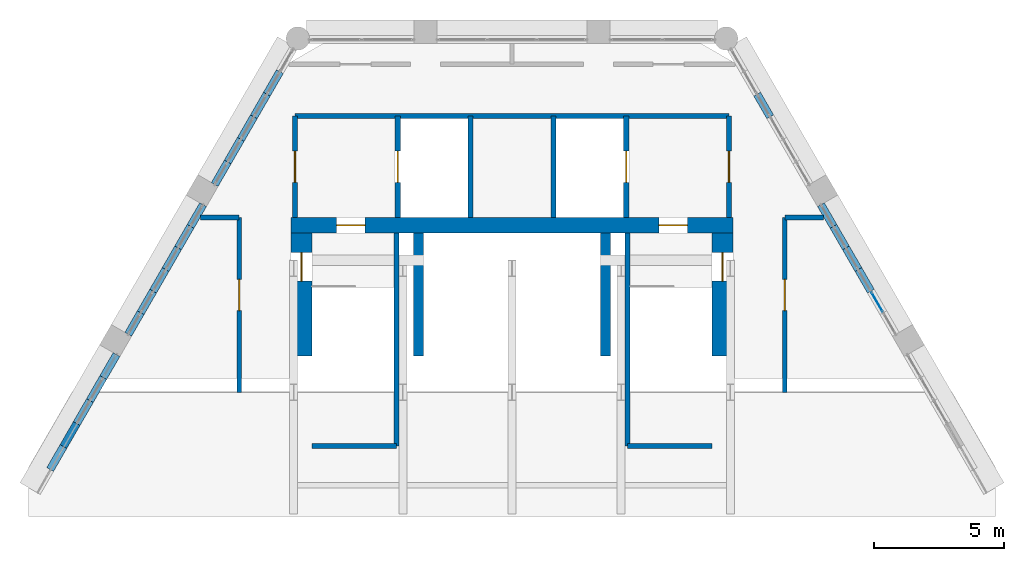
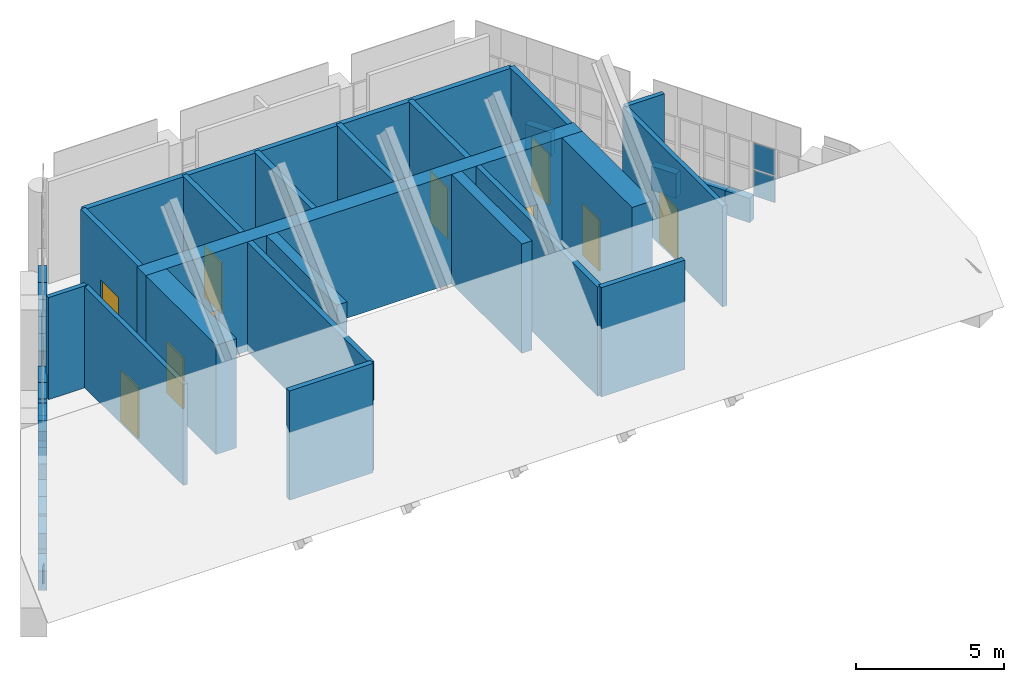
# One storey, part 14 of 16: 43 walls, 10 doors, 2 plates, 10 openings, 1 element without a shape of its own.
"""IFC4 building model written with IfcOpenShell, lengths in metres."""

from ifc_helpers import new_model, si_unit, direction, frame, frame_2d, origin, origin_2d, place, context, subcontext, project, spatial, rectangle, extrude, material, layer, layer_set, type_object, element, fill, aggregate, save


model = new_model("IFC4")

# Units and contexts
model_context = context("Model", 3, precision=1e-05, world=origin(), true_north=direction((0.0, 1.0)))
body_context = subcontext(model_context, "Body", "Model", "MODEL_VIEW")
ifc_project = project(units=[si_unit("LENGTHUNIT", "METRE"), si_unit("AREAUNIT", "SQUARE_METRE"), si_unit("VOLUMEUNIT", "CUBIC_METRE"), si_unit("PLANEANGLEUNIT", "RADIAN"), si_unit("MASSUNIT", "GRAM", prefix="KILO")], contexts=[model_context])

# Site, building, storey
site_placement = place(None, origin())
site = spatial("IfcSite", under=ifc_project, at=site_placement, CompositionType="ELEMENT")
building_placement = place(site_placement, origin())
building = spatial("IfcBuilding", under=site, at=building_placement, Name="Ostrander Bayou Hotel Tower", CompositionType="ELEMENT")
storey_placement = place(building_placement, frame((0.0, 0.0, 288.5)))
storey = spatial("IfcBuildingStorey", under=building, at=storey_placement, Name="L71", CompositionType="ELEMENT", Elevation=288.5)

# Curtain wall, plates
ifc_material_1 = material(Name="Aluminium and clear glass", Category="aluminium")
curtain_wall_type = type_object("IfcCurtainWallType", Name="CW-CROWN glazed wall", PredefinedType="NOTDEFINED", material=ifc_material_1)
curtain_wall_placement = place(storey_placement, origin())
curtain_wall = element("IfcCurtainWall", 1, at=curtain_wall_placement, inside=storey, type_object=curtain_wall_type, Name="CW-CROWN L71:NE-2-2", PredefinedType="NOTDEFINED")
ifc_material_2 = material(Name="Clear laminated glass", Category="glass")
ifc_layer_1 = layer(ifc_material_2, 0.028076171875)
ifc_layer_set_1 = layer_set([ifc_layer_1], Name="CW-CR glazing panel 28 mm")
plate_type = type_object("IfcPlateType", Name="CW-CR glazing panel 28 mm", PredefinedType="CURTAIN_PANEL", material=ifc_layer_set_1)
plate_1_placement = place(storey_placement, frame((14.051025390625, 6.449951171875, 1.06005859375), z_axis=(0.0, 0.0, 1.0), x_axis=(-0.500005045044, 0.866022491007, 0.0)))
plate_1 = element("IfcPlate", 2, at=plate_1_placement, type_object=plate_type, Name="CW-CROWN panel 1.1", PredefinedType="CURTAIN_PANEL", context=body_context, shape_type="SweptSolid", body=[
    extrude(rectangle(XDim=0.83984375, YDim=0.028076171875, at=origin_2d()), origin(), (0.0, 0.0, 1.0), 1.06005859375),
])
plate_2_placement = place(storey_placement, frame((14.051025390625, 6.449951171875, 2.179931640625), z_axis=(0.0, 0.0, 1.0), x_axis=(-0.500005045044, 0.866022491007, 0.0)))
plate_2 = element("IfcPlate", 3, at=plate_2_placement, type_object=plate_type, Name="CW-CROWN panel 1.2", PredefinedType="CURTAIN_PANEL", context=body_context, shape_type="SweptSolid", body=[
    extrude(rectangle(XDim=0.83984375, YDim=0.028076171875, at=origin_2d()), origin(), (0.0, 0.0, 1.0), 1.06005859375),
])
aggregate(curtain_wall, [plate_1, plate_2])

# Wall, openings, doors
ifc_material_3 = material(Name="Concrete f'c 60 MPa", Category="concrete")
ifc_layer_2 = layer(ifc_material_3, 0.60009765625)
ifc_layer_set_2 = layer_set([ifc_layer_2], Name="CW10 core wall 600 mm f'c 60 MPa")
wall_type_1 = type_object("IfcWallType", Name="CW10 core wall 600 mm f'c 60 MPa", PredefinedType="SHEAR", material=ifc_layer_set_2)
wall_1_placement = place(storey_placement, frame((-8.5, 9.39990234375, -0.300048828125), z_axis=(0.0, 0.0, 1.0), x_axis=(1.0, 0.0, 0.0)))
wall_1 = element("IfcWall", 4, at=wall_1_placement, inside=storey, type_object=wall_type_1, Name="CW10 L71 N", PredefinedType="SHEAR", context=body_context, shape_type="SweptSolid", body=[
    extrude(rectangle(XDim=17.0, YDim=0.60009765625, at=frame_2d((8.5, 0.0))), origin(), (0.0, 0.0, 1.0), 4.5),
])
opening_1_placement = place(wall_1_placement, frame((1.75, 0.0, 0.0)))
opening_1 = element("IfcOpeningElement", 5, at=opening_1_placement, cuts=wall_1, Name="Opening T71-001", PredefinedType="OPENING", context=body_context, shape_type="SweptSolid", body=[
    extrude(rectangle(XDim=1.10009765625, YDim=2.10009765625, at=frame_2d((0.550048828125, 1.050048828125))), frame((0.0, 0.300048828125, 0.0), z_axis=(0.0, -1.0, 0.0), x_axis=(1.0, 0.0, 0.0)), (0.0, 0.0, 1.0), 0.60009765625),
])
opening_2_placement = place(wall_1_placement, frame((14.14990234375, 0.0, 0.0)))
opening_2 = element("IfcOpeningElement", 6, at=opening_2_placement, cuts=wall_1, Name="Opening T71-003", PredefinedType="OPENING", context=body_context, shape_type="SweptSolid", body=[
    extrude(rectangle(XDim=1.10009765625, YDim=2.10009765625, at=frame_2d((0.550048828125, 1.050048828125))), frame((0.0, 0.300048828125, 0.0), z_axis=(0.0, -1.0, 0.0), x_axis=(1.0, 0.0, 0.0)), (0.0, 0.0, 1.0), 0.60009765625),
])
ifc_material_4 = material(Name="Timber door leaf", Category="wood")
door_type_1 = type_object("IfcDoorType", Name="D5 stair door 1100 x 2100 mm, 90 minute", OperationType="SINGLE_SWING_LEFT", PredefinedType="DOOR", material=ifc_material_4)
door_1_placement = place(opening_1_placement, origin())
door_1 = element("IfcDoor", 7, at=door_1_placement, inside=storey, type_object=door_type_1, Name="dr:L71:001", OperationType="SINGLE_SWING_LEFT", OverallHeight=2.10009765625, OverallWidth=1.10009765625, PredefinedType="DOOR", context=body_context, shape_type="SweptSolid", body=[
    extrude(rectangle(XDim=1.10009765625, YDim=2.10009765625, at=frame_2d((0.550048828125, 1.050048828125))), frame((0.0, 0.02490234375, 0.0), z_axis=(0.0, -1.0, 0.0), x_axis=(1.0, 0.0, 0.0)), (0.0, 0.0, 1.0), 0.050048828125),
])
fill(opening_1, door_1)
door_2_placement = place(opening_2_placement, origin())
door_2 = element("IfcDoor", 8, at=door_2_placement, inside=storey, type_object=door_type_1, Name="dr:L71:003", OperationType="SINGLE_SWING_RIGHT", OverallHeight=2.10009765625, OverallWidth=1.10009765625, PredefinedType="DOOR", context=body_context, shape_type="SweptSolid", body=[
    extrude(rectangle(XDim=1.10009765625, YDim=2.10009765625, at=frame_2d((0.550048828125, 1.050048828125))), frame((0.0, 0.02490234375, 0.0), z_axis=(0.0, -1.0, 0.0), x_axis=(1.0, 0.0, 0.0)), (0.0, 0.0, 1.0), 0.050048828125),
])
fill(opening_2, door_2)

# Wall, opening, door
ifc_material_5 = material(Name="Concrete f'c 60 MPa", Category="concrete")
ifc_layer_3 = layer(ifc_material_5, 0.800048828125)
ifc_layer_set_3 = layer_set([ifc_layer_3], Name="CW11 core spine wall 800 mm f'c 60 MPa")
wall_type_2 = type_object("IfcWallType", Name="CW11 core spine wall 800 mm f'c 60 MPa", PredefinedType="SHEAR", material=ifc_layer_set_3)
wall_2_placement = place(storey_placement, frame((-8.10009765625, 4.364990234375, -0.300048828125), z_axis=(0.0, 0.0, 1.0), x_axis=(0.0, 1.0, 0.0)))
wall_2 = element("IfcWall", 9, at=wall_2_placement, inside=storey, type_object=wall_type_2, Name="CW11 L71 W", PredefinedType="SHEAR", context=body_context, shape_type="SweptSolid", body=[
    extrude(rectangle(XDim=4.735107421875, YDim=0.800048828125, at=frame_2d((2.36767578125, 0.0))), origin(), (0.0, 0.0, 1.0), 4.5),
])
opening_3_placement = place(wall_2_placement, frame((2.885009765625, 0.0, 0.0)))
opening_3 = element("IfcOpeningElement", 10, at=opening_3_placement, cuts=wall_2, Name="Opening T71-002", PredefinedType="OPENING", context=body_context, shape_type="SweptSolid", body=[
    extrude(rectangle(XDim=1.10009765625, YDim=2.10009765625, at=frame_2d((0.550048828125, 1.050048828125))), frame((0.0, 0.39990234375, 0.0), z_axis=(0.0, -1.0, 0.0), x_axis=(1.0, 0.0, 0.0)), (0.0, 0.0, 1.0), 0.800048828125),
])
door_3_placement = place(opening_3_placement, origin())
door_3 = element("IfcDoor", 11, at=door_3_placement, inside=storey, type_object=door_type_1, Name="dr:L71:002", OperationType="SINGLE_SWING_RIGHT", OverallHeight=2.10009765625, OverallWidth=1.10009765625, PredefinedType="DOOR", context=body_context, shape_type="SweptSolid", body=[
    extrude(rectangle(XDim=1.10009765625, YDim=2.10009765625, at=frame_2d((0.550048828125, 1.050048828125))), frame((0.0, 0.02490234375, 0.0), z_axis=(0.0, -1.0, 0.0), x_axis=(1.0, 0.0, 0.0)), (0.0, 0.0, 1.0), 0.050048828125),
])
fill(opening_3, door_3)

wall_3_placement = place(storey_placement, frame((8.10009765625, 4.364990234375, -0.300048828125), z_axis=(0.0, 0.0, 1.0), x_axis=(0.0, 1.0, 0.0)))
wall_3 = element("IfcWall", 12, at=wall_3_placement, inside=storey, type_object=wall_type_2, Name="CW11 L71 E", PredefinedType="SHEAR", context=body_context, shape_type="SweptSolid", body=[
    extrude(rectangle(XDim=4.735107421875, YDim=0.800048828125, at=frame_2d((2.36767578125, 0.0))), origin(), (0.0, 0.0, 1.0), 4.5),
])
opening_4_placement = place(wall_3_placement, frame((2.885009765625, 0.0, 0.0)))
opening_4 = element("IfcOpeningElement", 13, at=opening_4_placement, cuts=wall_3, Name="Opening T71-004", PredefinedType="OPENING", context=body_context, shape_type="SweptSolid", body=[
    extrude(rectangle(XDim=1.10009765625, YDim=2.10009765625, at=frame_2d((0.550048828125, 1.050048828125))), frame((0.0, 0.39990234375, 0.0), z_axis=(0.0, -1.0, 0.0), x_axis=(1.0, 0.0, 0.0)), (0.0, 0.0, 1.0), 0.800048828125),
])
door_4_placement = place(opening_4_placement, origin())
door_4 = element("IfcDoor", 14, at=door_4_placement, inside=storey, type_object=door_type_1, Name="dr:L71:004", OperationType="SINGLE_SWING_LEFT", OverallHeight=2.10009765625, OverallWidth=1.10009765625, PredefinedType="DOOR", context=body_context, shape_type="SweptSolid", body=[
    extrude(rectangle(XDim=1.10009765625, YDim=2.10009765625, at=frame_2d((0.550048828125, 1.050048828125))), frame((0.0, 0.02490234375, 0.0), z_axis=(0.0, -1.0, 0.0), x_axis=(1.0, 0.0, 0.0)), (0.0, 0.0, 1.0), 0.050048828125),
])
fill(opening_4, door_4)

# Walls
ifc_material_6 = material(Name="Concrete f'c 60 MPa", Category="concrete")
ifc_layer_4 = layer(ifc_material_6, 0.39990234375)
ifc_layer_set_4 = layer_set([ifc_layer_4], Name="CW12 core bank wall 400 mm f'c 60 MPa")
wall_type_3 = type_object("IfcWallType", Name="CW12 core bank wall 400 mm f'c 60 MPa", PredefinedType="SHEAR", material=ifc_layer_set_4)
for number, where, z_axis, x_axis, name in (
    (15, (-3.60009765625, 4.364990234375, -0.300048828125), (0.0, 0.0, 1.0), (0.0, 1.0, 0.0), "CW12 L71 CW"),
    (16, (3.60009765625, 4.364990234375, -0.300048828125), (0.0, 0.0, 1.0), (0.0, 1.0, 0.0), "CW12 L71 CE"),
):
    element("IfcWall", number, at=place(storey_placement, frame(where, z_axis=z_axis, x_axis=x_axis)), inside=storey, type_object=wall_type_3, Name=name, PredefinedType="SHEAR", context=body_context, shape_type="SweptSolid", body=[
        extrude(rectangle(XDim=4.735107421875, YDim=0.39990234375, at=frame_2d((2.36767578125, 0.0))), origin(), (0.0, 0.0, 1.0), 4.5),
    ])
ifc_material_7 = material(Name="Reconstituted stone on masonry backing", Category="masonry")
ifc_layer_5 = layer(ifc_material_7, 0.300048828125)
ifc_layer_set_5 = layer_set([ifc_layer_5], Name="NW1 north stone wall 300 mm")
wall_type_4 = type_object("IfcWallType", Name="NW1 north stone wall 300 mm", PredefinedType="SOLIDWALL", material=ifc_layer_set_5)
wall_4_placement = place(storey_placement, frame((-8.93359375, 15.313720703125, 0.0), z_axis=(0.0, 0.0, 1.0), x_axis=(-0.500038395149, -0.8660032352, 0.0)))
element("IfcWall", 17, at=wall_4_placement, inside=storey, type_object=wall_type_4, Name="NW1 L71 NW-1-2 sill", PredefinedType="SOLIDWALL", context=body_context, shape_type="SweptSolid", body=[
    extrude(rectangle(XDim=1.00341796875, YDim=0.300048828125, at=frame_2d((0.501708984375, 0.0))), origin(), (0.0, 0.0, 1.0), 1.0),
])
wall_5_placement = place(storey_placement, frame((-9.435302734375, 14.44482421875, 0.0), z_axis=(0.0, 0.0, 1.0), x_axis=(-0.499961250474, -0.866047774678, 0.0)))
element("IfcWall", 18, at=wall_5_placement, inside=storey, type_object=wall_type_4, Name="NW1 L71 NW-1-3 sill", PredefinedType="SOLIDWALL", context=body_context, shape_type="SweptSolid", body=[
    extrude(rectangle(XDim=1.0029296875, YDim=0.300048828125, at=frame_2d((0.50146484375, 0.0))), origin(), (0.0, 0.0, 1.0), 1.0),
])
for number, where, z_axis, x_axis, name in (
    (19, (-9.936767578125, 13.576171875, 0.0), (0.0, 0.0, 1.0), (-0.499855875421, -0.866108598161, 0.0), "NW1 L71 NW-1-4 sill"),
    (20, (-10.438232421875, 12.707275390625, 0.0), (0.0, 0.0, 1.0), (-0.500143783026, -0.865942374699, 0.0), "NW1 L71 NW-1-5 sill"),
    (21, (-10.93994140625, 11.838623046875, 0.0), (0.0, 0.0, 1.0), (-0.499855875421, -0.866108598161, 0.0), "NW1 L71 NW-1-6 sill"),
):
    element("IfcWall", number, at=place(storey_placement, frame(where, z_axis=z_axis, x_axis=x_axis)), inside=storey, type_object=wall_type_4, Name=name, PredefinedType="SOLIDWALL", context=body_context, shape_type="SweptSolid", body=[
        extrude(rectangle(XDim=1.003173828125, YDim=0.300048828125, at=frame_2d((0.50146484375, 0.0))), origin(), (0.0, 0.0, 1.0), 1.0),
    ])
for number, where, z_axis, x_axis, name in (
    (22, (-11.8916015625, 10.1904296875, 0.0), (0.0, 0.0, 1.0), (-0.499832553123, -0.866122057702, 0.0), "NW1 L71 NW-2-1 sill"),
    (23, (-12.371337890625, 9.359130859375, 0.0), (0.0, 0.0, 1.0), (-0.500133489192, -0.865948320045, 0.0), "NW1 L71 NW-2-2 sill"),
):
    element("IfcWall", number, at=place(storey_placement, frame(where, z_axis=z_axis, x_axis=x_axis)), inside=storey, type_object=wall_type_4, Name=name, PredefinedType="SOLIDWALL", context=body_context, shape_type="SweptSolid", body=[
        extrude(rectangle(XDim=0.959716796875, YDim=0.300048828125, at=frame_2d((0.47998046875, 0.0))), origin(), (0.0, 0.0, 1.0), 1.0),
    ])
wall_6_placement = place(storey_placement, frame((-12.851318359375, 8.528076171875, 0.0), z_axis=(0.0, 0.0, 1.0), x_axis=(-0.500023335103, -0.866011930837, 0.0)))
element("IfcWall", 24, at=wall_6_placement, inside=storey, type_object=wall_type_4, Name="NW1 L71 NW-2-3 sill", PredefinedType="SOLIDWALL", context=body_context, shape_type="SweptSolid", body=[
    extrude(rectangle(XDim=0.9599609375, YDim=0.300048828125, at=frame_2d((0.47998046875, 0.0))), origin(), (0.0, 0.0, 1.0), 1.0),
])
wall_7_placement = place(storey_placement, frame((-13.331298828125, 7.69677734375, 0.0), z_axis=(0.0, 0.0, 1.0), x_axis=(-0.499832553123, -0.866122057702, 0.0)))
element("IfcWall", 25, at=wall_7_placement, inside=storey, type_object=wall_type_4, Name="NW1 L71 NW-2-4 sill", PredefinedType="SOLIDWALL", context=body_context, shape_type="SweptSolid", body=[
    extrude(rectangle(XDim=0.959716796875, YDim=0.300048828125, at=frame_2d((0.47998046875, 0.0))), origin(), (0.0, 0.0, 1.0), 1.0),
])
wall_8_placement = place(storey_placement, frame((-13.81103515625, 6.865478515625, 0.0), z_axis=(0.0, 0.0, 1.0), x_axis=(-0.500023335103, -0.866011930837, 0.0)))
element("IfcWall", 26, at=wall_8_placement, inside=storey, type_object=wall_type_4, Name="NW1 L71 NW-2-5 sill", PredefinedType="SOLIDWALL", context=body_context, shape_type="SweptSolid", body=[
    extrude(rectangle(XDim=0.9599609375, YDim=0.300048828125, at=frame_2d((0.47998046875, 0.0))), origin(), (0.0, 0.0, 1.0), 1.0),
])
wall_9_placement = place(storey_placement, frame((-14.291015625, 6.0341796875, 0.0), z_axis=(0.0, 0.0, 1.0), x_axis=(-0.500133489192, -0.865948320045, 0.0)))
element("IfcWall", 27, at=wall_9_placement, inside=storey, type_object=wall_type_4, Name="NW1 L71 NW-2-6 sill", PredefinedType="SOLIDWALL", context=body_context, shape_type="SweptSolid", body=[
    extrude(rectangle(XDim=0.959716796875, YDim=0.300048828125, at=frame_2d((0.47998046875, 0.0))), origin(), (0.0, 0.0, 1.0), 1.0),
])
wall_10_placement = place(storey_placement, frame((-15.220947265625, 4.423583984375, 0.0), z_axis=(0.0, 0.0, 1.0), x_axis=(-0.500046605208, -0.865998494583, 0.0)))
element("IfcWall", 28, at=wall_10_placement, inside=storey, type_object=wall_type_4, Name="NW1 L71 NW-3-1 sill", PredefinedType="SOLIDWALL", context=body_context, shape_type="SweptSolid", body=[
    extrude(rectangle(XDim=1.021484375, YDim=0.300048828125, at=frame_2d((0.5107421875, 0.0))), origin(), (0.0, 0.0, 1.0), 1.0),
])
wall_11_placement = place(storey_placement, frame((-15.220947265625, 4.423583984375, 3.300048828125), z_axis=(0.0, 0.0, 1.0), x_axis=(-0.500046605208, -0.865998494583, 0.0)))
element("IfcWall", 29, at=wall_11_placement, inside=storey, type_object=wall_type_4, Name="NW1 L71 NW-3-1 ring", PredefinedType="SOLIDWALL", context=body_context, shape_type="SweptSolid", body=[
    extrude(rectangle(XDim=1.021484375, YDim=0.300048828125, at=frame_2d((0.5107421875, 0.0))), origin(), (0.0, 0.0, 1.0), 0.838623046875),
])
for number, where, z_axis, x_axis, name in (
    (30, (-15.731689453125, 3.5390625, 0.0), (0.0, 0.0, 1.0), (-0.499943114462, -0.866058244174, 0.0), "NW1 L71 NW-3-2 sill"),
    (31, (-16.242431640625, 2.654296875, 0.0), (0.0, 0.0, 1.0), (-0.499943114462, -0.866058244174, 0.0), "NW1 L71 NW-3-3 sill"),
    (32, (-16.753173828125, 1.76953125, 0.0), (0.0, 0.0, 1.0), (-0.500046605208, -0.865998494583, 0.0), "NW1 L71 NW-3-4 sill"),
):
    element("IfcWall", number, at=place(storey_placement, frame(where, z_axis=z_axis, x_axis=x_axis)), inside=storey, type_object=wall_type_4, Name=name, PredefinedType="SOLIDWALL", context=body_context, shape_type="SweptSolid", body=[
        extrude(rectangle(XDim=1.021484375, YDim=0.300048828125, at=frame_2d((0.5107421875, 0.0))), origin(), (0.0, 0.0, 1.0), 1.0),
    ])
wall_12_placement = place(storey_placement, frame((-16.753173828125, 1.76953125, 1.0), z_axis=(0.0, 0.0, 1.0), x_axis=(-0.500046605208, -0.865998494583, 0.0)))
element("IfcWall", 33, at=wall_12_placement, inside=storey, type_object=wall_type_4, Name="NW1 L71 NW-3-4 infill", PredefinedType="SOLIDWALL", context=body_context, shape_type="SweptSolid", body=[
    extrude(rectangle(XDim=1.021484375, YDim=0.300048828125, at=frame_2d((0.5107421875, 0.0))), origin(), (0.0, 0.0, 1.0), 0.638916015625),
])
wall_13_placement = place(storey_placement, frame((-17.263916015625, 0.885009765625, 0.0), z_axis=(0.0, 0.0, 1.0), x_axis=(-0.500122329842, -0.865954765097, 0.0)))
element("IfcWall", 34, at=wall_13_placement, inside=storey, type_object=wall_type_4, Name="NW1 L71 NW-3-5 sill", PredefinedType="SOLIDWALL", context=body_context, shape_type="SweptSolid", body=[
    extrude(rectangle(XDim=1.021728515625, YDim=0.300048828125, at=frame_2d((0.5107421875, 0.0))), origin(), (0.0, 0.0, 1.0), 0.8056640625),
])
wall_14_placement = place(storey_placement, frame((13.81103515625, 6.865478515625, 0.0), z_axis=(0.0, 0.0, 1.0), x_axis=(-0.499832553123, 0.866122057702, 0.0)))
element("IfcWall", 35, at=wall_14_placement, inside=storey, type_object=wall_type_4, Name="NW1 L71 NE-2-3 sill", PredefinedType="SOLIDWALL", context=body_context, shape_type="SweptSolid", body=[
    extrude(rectangle(XDim=0.959716796875, YDim=0.300048828125, at=frame_2d((0.47998046875, 0.0))), origin(), (0.0, 0.0, 1.0), 1.0),
])
wall_15_placement = place(storey_placement, frame((13.331298828125, 7.69677734375, 0.0), z_axis=(0.0, 0.0, 1.0), x_axis=(-0.500023335103, 0.866011930837, 0.0)))
element("IfcWall", 36, at=wall_15_placement, inside=storey, type_object=wall_type_4, Name="NW1 L71 NE-2-4 sill", PredefinedType="SOLIDWALL", context=body_context, shape_type="SweptSolid", body=[
    extrude(rectangle(XDim=0.9599609375, YDim=0.300048828125, at=frame_2d((0.47998046875, 0.0))), origin(), (0.0, 0.0, 1.0), 1.0),
])
for number, where, z_axis, x_axis, name in (
    (37, (12.851318359375, 8.528076171875, 0.0), (0.0, 0.0, 1.0), (-0.500133489192, 0.865948320045, 0.0), "NW1 L71 NE-2-5 sill"),
    (38, (12.371337890625, 9.359130859375, 0.0), (0.0, 0.0, 1.0), (-0.499832553123, 0.866122057702, 0.0), "NW1 L71 NE-2-6 sill"),
):
    element("IfcWall", number, at=place(storey_placement, frame(where, z_axis=z_axis, x_axis=x_axis)), inside=storey, type_object=wall_type_4, Name=name, PredefinedType="SOLIDWALL", context=body_context, shape_type="SweptSolid", body=[
        extrude(rectangle(XDim=0.959716796875, YDim=0.300048828125, at=frame_2d((0.47998046875, 0.0))), origin(), (0.0, 0.0, 1.0), 1.0),
    ])
wall_16_placement = place(storey_placement, frame((9.936767578125, 13.576171875, 0.0), z_axis=(0.0, 0.0, 1.0), x_axis=(-0.499961250474, 0.866047774678, 0.0)))
element("IfcWall", 39, at=wall_16_placement, inside=storey, type_object=wall_type_4, Name="NW1 L71 NE-3-4 sill", PredefinedType="SOLIDWALL", context=body_context, shape_type="SweptSolid", body=[
    extrude(rectangle(XDim=1.0029296875, YDim=0.300048828125, at=frame_2d((0.50146484375, 0.0))), origin(), (0.0, 0.0, 1.0), 1.0),
])
ifc_material_8 = material(Name="Gypsum board partition", Category="finish")
ifc_layer_6 = layer(ifc_material_8, 0.175048828125)
ifc_layer_set_6 = layer_set([ifc_layer_6], Name="PT4 corridor wall 175 mm, 1 hour")
wall_type_5 = type_object("IfcWallType", Name="PT4 corridor wall 175 mm, 1 hour", PredefinedType="PARTITIONING", material=ifc_layer_set_6)
for number, where, z_axis, x_axis, name in (
    (40, (-11.996337890625, 9.699951171875, 0.0), (0.0, 0.0, 1.0), (1.0, 0.0, 0.0), "sw:L71:001"),
    (41, (10.5, 9.699951171875, 0.0), (0.0, 0.0, 1.0), (1.0, 0.0, 0.0), "sw:L71:002"),
):
    element("IfcWall", number, at=place(storey_placement, frame(where, z_axis=z_axis, x_axis=x_axis)), inside=storey, type_object=wall_type_5, Name=name, PredefinedType="PARTITIONING", context=body_context, shape_type="SweptSolid", body=[
        extrude(rectangle(XDim=1.496337890625, YDim=0.175048828125, at=frame_2d((0.748046875, 0.0))), origin(), (0.0, 0.0, 1.0), 4.199951171875),
    ])

# Wall, opening, door
wall_17_placement = place(storey_placement, frame((-10.5, 2.97216796875, 0.0), z_axis=(0.0, 0.0, 1.0), x_axis=(0.0, 1.0, 0.0)))
wall_17 = element("IfcWall", 42, at=wall_17_placement, inside=storey, type_object=wall_type_5, Name="sw:L71:006", PredefinedType="PARTITIONING", context=body_context, shape_type="SweptSolid", body=[
    extrude(rectangle(XDim=6.727783203125, YDim=0.175048828125, at=frame_2d((3.36376953125, 0.0))), origin(), (0.0, 0.0, 1.0), 4.15478515625),
])
opening_5_placement = place(wall_17_placement, frame((3.141845703125, 0.0, 0.0)))
opening_5 = element("IfcOpeningElement", 43, at=opening_5_placement, cuts=wall_17, Name="Opening T71-200", PredefinedType="OPENING", context=body_context, shape_type="SweptSolid", body=[
    extrude(rectangle(XDim=1.199951171875, YDim=2.10009765625, at=frame_2d((0.60009765625, 1.050048828125))), frame((0.0, 0.08740234375, 0.0), z_axis=(0.0, -1.0, 0.0), x_axis=(1.0, 0.0, 0.0)), (0.0, 0.0, 1.0), 0.175048828125),
])
ifc_material_9 = material(Name="Timber door leaf", Category="wood")
door_type_2 = type_object("IfcDoorType", Name="D10 plant room door 1200 x 2100 mm, 1 hour", OperationType="SINGLE_SWING_LEFT", PredefinedType="DOOR", material=ifc_material_9)
door_5_placement = place(opening_5_placement, origin())
door_5 = element("IfcDoor", 44, at=door_5_placement, inside=storey, type_object=door_type_2, Name="dr:L71:200", OperationType="SINGLE_SWING_RIGHT", OverallHeight=2.10009765625, OverallWidth=1.199951171875, PredefinedType="DOOR", context=body_context, shape_type="SweptSolid", body=[
    extrude(rectangle(XDim=1.199951171875, YDim=2.10009765625, at=frame_2d((0.60009765625, 1.050048828125))), frame((0.0, 0.02490234375, 0.0), z_axis=(0.0, -1.0, 0.0), x_axis=(1.0, 0.0, 0.0)), (0.0, 0.0, 1.0), 0.050048828125),
])
fill(opening_5, door_5)

wall_18_placement = place(storey_placement, frame((10.5, 2.97216796875, 0.0), z_axis=(0.0, 0.0, 1.0), x_axis=(0.0, 1.0, 0.0)))
wall_18 = element("IfcWall", 45, at=wall_18_placement, inside=storey, type_object=wall_type_5, Name="sw:L71:007", PredefinedType="PARTITIONING", context=body_context, shape_type="SweptSolid", body=[
    extrude(rectangle(XDim=6.727783203125, YDim=0.175048828125, at=frame_2d((3.36376953125, 0.0))), origin(), (0.0, 0.0, 1.0), 4.15478515625),
])
opening_6_placement = place(wall_18_placement, frame((3.141845703125, 0.0, 0.0)))
opening_6 = element("IfcOpeningElement", 46, at=opening_6_placement, cuts=wall_18, Name="Opening T71-201", PredefinedType="OPENING", context=body_context, shape_type="SweptSolid", body=[
    extrude(rectangle(XDim=1.199951171875, YDim=2.10009765625, at=frame_2d((0.60009765625, 1.050048828125))), frame((0.0, 0.08740234375, 0.0), z_axis=(0.0, -1.0, 0.0), x_axis=(1.0, 0.0, 0.0)), (0.0, 0.0, 1.0), 0.175048828125),
])
door_6_placement = place(opening_6_placement, origin())
door_6 = element("IfcDoor", 47, at=door_6_placement, inside=storey, type_object=door_type_2, Name="dr:L71:201", OperationType="SINGLE_SWING_LEFT", OverallHeight=2.10009765625, OverallWidth=1.199951171875, PredefinedType="DOOR", context=body_context, shape_type="SweptSolid", body=[
    extrude(rectangle(XDim=1.199951171875, YDim=2.10009765625, at=frame_2d((0.60009765625, 1.050048828125))), frame((0.0, 0.02490234375, 0.0), z_axis=(0.0, -1.0, 0.0), x_axis=(1.0, 0.0, 0.0)), (0.0, 0.0, 1.0), 0.050048828125),
])
fill(opening_6, door_6)

# Wall
ifc_material_10 = material(Name="Masonry block", Category="masonry")
ifc_layer_7 = layer(ifc_material_10, 0.199951171875)
ifc_layer_set_7 = layer_set([ifc_layer_7], Name="PT5 stair enclosure wall 200 mm masonry, 2 hour")
wall_type_6 = type_object("IfcWallType", Name="PT5 stair enclosure wall 200 mm masonry, 2 hour", PredefinedType="PARTITIONING", material=ifc_layer_set_7)
wall_19_placement = place(storey_placement, frame((-8.35009765625, 13.60009765625, 0.0), z_axis=(0.0, 0.0, 1.0), x_axis=(1.0, 0.0, 0.0)))
element("IfcWall", 48, at=wall_19_placement, inside=storey, type_object=wall_type_6, Name="cs:L71:005", PredefinedType="PARTITIONING", context=body_context, shape_type="SweptSolid", body=[
    extrude(rectangle(XDim=16.7001953125, YDim=0.199951171875, at=frame_2d((8.35009765625, 0.0))), origin(), (0.0, 0.0, 1.0), 4.199951171875),
])

# Wall, opening, door
wall_20_placement = place(storey_placement, frame((-8.35009765625, 9.699951171875, 0.0), z_axis=(0.0, 0.0, 1.0), x_axis=(0.0, 1.0, 0.0)))
wall_20 = element("IfcWall", 49, at=wall_20_placement, inside=storey, type_object=wall_type_6, Name="cs:L71:006", PredefinedType="PARTITIONING", context=body_context, shape_type="SweptSolid", body=[
    extrude(rectangle(XDim=3.900146484375, YDim=0.199951171875, at=frame_2d((1.9501953125, 0.0))), origin(), (0.0, 0.0, 1.0), 4.199951171875),
])
opening_7_placement = place(wall_20_placement, frame((1.35009765625, 0.0, 0.0)))
opening_7 = element("IfcOpeningElement", 50, at=opening_7_placement, cuts=wall_20, Name="Opening T71-006", PredefinedType="OPENING", context=body_context, shape_type="SweptSolid", body=[
    extrude(rectangle(XDim=1.199951171875, YDim=2.10009765625, at=frame_2d((0.60009765625, 1.050048828125))), frame((0.0, 0.10009765625, 0.0), z_axis=(0.0, -1.0, 0.0), x_axis=(1.0, 0.0, 0.0)), (0.0, 0.0, 1.0), 0.199951171875),
])
ifc_material_11 = material(Name="Timber door leaf", Category="wood")
door_type_3 = type_object("IfcDoorType", Name="D7 lobby door 1200 x 2100 mm, 1 hour", OperationType="SINGLE_SWING_LEFT", PredefinedType="DOOR", material=ifc_material_11)
door_7_placement = place(opening_7_placement, origin())
door_7 = element("IfcDoor", 51, at=door_7_placement, inside=storey, type_object=door_type_3, Name="dr:L71:006", OperationType="SINGLE_SWING_LEFT", OverallHeight=2.10009765625, OverallWidth=1.199951171875, PredefinedType="DOOR", context=body_context, shape_type="SweptSolid", body=[
    extrude(rectangle(XDim=1.199951171875, YDim=2.10009765625, at=frame_2d((0.60009765625, 1.050048828125))), frame((0.0, 0.02490234375, 0.0), z_axis=(0.0, -1.0, 0.0), x_axis=(1.0, 0.0, 0.0)), (0.0, 0.0, 1.0), 0.050048828125),
])
fill(opening_7, door_7)

wall_21_placement = place(storey_placement, frame((8.35009765625, 9.699951171875, 0.0), z_axis=(0.0, 0.0, 1.0), x_axis=(0.0, 1.0, 0.0)))
wall_21 = element("IfcWall", 52, at=wall_21_placement, inside=storey, type_object=wall_type_6, Name="cs:L71:007", PredefinedType="PARTITIONING", context=body_context, shape_type="SweptSolid", body=[
    extrude(rectangle(XDim=3.900146484375, YDim=0.199951171875, at=frame_2d((1.9501953125, 0.0))), origin(), (0.0, 0.0, 1.0), 4.199951171875),
])
opening_8_placement = place(wall_21_placement, frame((1.35009765625, 0.0, 0.0)))
opening_8 = element("IfcOpeningElement", 53, at=opening_8_placement, cuts=wall_21, Name="Opening T71-008", PredefinedType="OPENING", context=body_context, shape_type="SweptSolid", body=[
    extrude(rectangle(XDim=1.199951171875, YDim=2.10009765625, at=frame_2d((0.60009765625, 1.050048828125))), frame((0.0, 0.10009765625, 0.0), z_axis=(0.0, -1.0, 0.0), x_axis=(1.0, 0.0, 0.0)), (0.0, 0.0, 1.0), 0.199951171875),
])
door_8_placement = place(opening_8_placement, origin())
door_8 = element("IfcDoor", 54, at=door_8_placement, inside=storey, type_object=door_type_3, Name="dr:L71:008", OperationType="SINGLE_SWING_LEFT", OverallHeight=2.10009765625, OverallWidth=1.199951171875, PredefinedType="DOOR", context=body_context, shape_type="SweptSolid", body=[
    extrude(rectangle(XDim=1.199951171875, YDim=2.10009765625, at=frame_2d((0.60009765625, 1.050048828125))), frame((0.0, 0.02490234375, 0.0), z_axis=(0.0, -1.0, 0.0), x_axis=(1.0, 0.0, 0.0)), (0.0, 0.0, 1.0), 0.050048828125),
])
fill(opening_8, door_8)

wall_22_placement = place(storey_placement, frame((-4.39990234375, 9.699951171875, 0.0), z_axis=(0.0, 0.0, 1.0), x_axis=(0.0, 1.0, 0.0)))
wall_22 = element("IfcWall", 55, at=wall_22_placement, inside=storey, type_object=wall_type_6, Name="cs:L71:008", PredefinedType="PARTITIONING", context=body_context, shape_type="SweptSolid", body=[
    extrude(rectangle(XDim=3.900146484375, YDim=0.199951171875, at=frame_2d((1.9501953125, 0.0))), origin(), (0.0, 0.0, 1.0), 4.199951171875),
])
opening_9_placement = place(wall_22_placement, frame((1.35009765625, 0.0, 0.0)))
opening_9 = element("IfcOpeningElement", 56, at=opening_9_placement, cuts=wall_22, Name="Opening T71-005", PredefinedType="OPENING", context=body_context, shape_type="SweptSolid", body=[
    extrude(rectangle(XDim=1.199951171875, YDim=2.10009765625, at=frame_2d((0.60009765625, 1.050048828125))), frame((0.0, 0.10009765625, 0.0), z_axis=(0.0, -1.0, 0.0), x_axis=(1.0, 0.0, 0.0)), (0.0, 0.0, 1.0), 0.199951171875),
])
ifc_material_12 = material(Name="Stainless steel sliding door", Category="steel")
door_type_4 = type_object("IfcDoorType", Name="LD1 lift landing door 1200 x 2100 mm", OperationType="SINGLE_SWING_LEFT", PredefinedType="DOOR", material=ifc_material_12)
door_9_placement = place(opening_9_placement, origin())
door_9 = element("IfcDoor", 57, at=door_9_placement, inside=storey, type_object=door_type_4, Name="dr:L71:005", OperationType="SLIDING_TO_LEFT", OverallHeight=2.10009765625, OverallWidth=1.199951171875, PredefinedType="DOOR", context=body_context, shape_type="SweptSolid", body=[
    extrude(rectangle(XDim=1.199951171875, YDim=2.10009765625, at=frame_2d((0.60009765625, 1.050048828125))), frame((0.0, 0.02490234375, 0.0), z_axis=(0.0, -1.0, 0.0), x_axis=(1.0, 0.0, 0.0)), (0.0, 0.0, 1.0), 0.050048828125),
])
fill(opening_9, door_9)

wall_23_placement = place(storey_placement, frame((4.39990234375, 9.699951171875, 0.0), z_axis=(0.0, 0.0, 1.0), x_axis=(0.0, 1.0, 0.0)))
wall_23 = element("IfcWall", 58, at=wall_23_placement, inside=storey, type_object=wall_type_6, Name="cs:L71:009", PredefinedType="PARTITIONING", context=body_context, shape_type="SweptSolid", body=[
    extrude(rectangle(XDim=3.900146484375, YDim=0.199951171875, at=frame_2d((1.9501953125, 0.0))), origin(), (0.0, 0.0, 1.0), 4.199951171875),
])
opening_10_placement = place(wall_23_placement, frame((1.35009765625, 0.0, 0.0)))
opening_10 = element("IfcOpeningElement", 59, at=opening_10_placement, cuts=wall_23, Name="Opening T71-007", PredefinedType="OPENING", context=body_context, shape_type="SweptSolid", body=[
    extrude(rectangle(XDim=1.199951171875, YDim=2.10009765625, at=frame_2d((0.60009765625, 1.050048828125))), frame((0.0, 0.10009765625, 0.0), z_axis=(0.0, -1.0, 0.0), x_axis=(1.0, 0.0, 0.0)), (0.0, 0.0, 1.0), 0.199951171875),
])
door_10_placement = place(opening_10_placement, origin())
door_10 = element("IfcDoor", 60, at=door_10_placement, inside=storey, type_object=door_type_4, Name="dr:L71:007", OperationType="SLIDING_TO_LEFT", OverallHeight=2.10009765625, OverallWidth=1.199951171875, PredefinedType="DOOR", context=body_context, shape_type="SweptSolid", body=[
    extrude(rectangle(XDim=1.199951171875, YDim=2.10009765625, at=frame_2d((0.60009765625, 1.050048828125))), frame((0.0, 0.02490234375, 0.0), z_axis=(0.0, -1.0, 0.0), x_axis=(1.0, 0.0, 0.0)), (0.0, 0.0, 1.0), 0.050048828125),
])
fill(opening_10, door_10)

# Walls
ifc_material_13 = material(Name="Masonry block", Category="masonry")
ifc_layer_8 = layer(ifc_material_13, 0.199951171875)
ifc_layer_set_8 = layer_set([ifc_layer_8], Name="PT6 lift shaft wall 200 mm masonry, 2 hour")
wall_type_7 = type_object("IfcWallType", Name="PT6 lift shaft wall 200 mm masonry, 2 hour", PredefinedType="PARTITIONING", material=ifc_layer_set_8)
for number, where, z_axis, x_axis, name in (
    (61, (-1.60009765625, 9.699951171875, 0.0), (0.0, 0.0, 1.0), (0.0, 1.0, 0.0), "cs:L71:010"),
    (62, (1.60009765625, 9.699951171875, 0.0), (0.0, 0.0, 1.0), (0.0, 1.0, 0.0), "cs:L71:011"),
):
    element("IfcWall", number, at=place(storey_placement, frame(where, z_axis=z_axis, x_axis=x_axis)), inside=storey, type_object=wall_type_7, Name=name, PredefinedType="PARTITIONING", context=body_context, shape_type="SweptSolid", body=[
        extrude(rectangle(XDim=3.900146484375, YDim=0.199951171875, at=frame_2d((1.9501953125, 0.0))), origin(), (0.0, 0.0, 1.0), 4.199951171875),
    ])
ifc_material_14 = material(Name="Concrete f'c 45 MPa", Category="concrete")
ifc_layer_9 = layer(ifc_material_14, 0.199951171875)
ifc_layer_set_9 = layer_set([ifc_layer_9], Name="SW5 stair enclosure wall 200 mm f'c 45 MPa")
wall_type_8 = type_object("IfcWallType", Name="SW5 stair enclosure wall 200 mm f'c 45 MPa", PredefinedType="SOLIDWALL", material=ifc_layer_set_9)
wall_24_placement = place(storey_placement, frame((-4.449951171875, 0.89990234375, -0.300048828125), z_axis=(0.0, 0.0, 1.0), x_axis=(0.0, 1.0, 0.0)))
element("IfcWall", 63, at=wall_24_placement, inside=storey, type_object=wall_type_8, Name="cs:L71:001", PredefinedType="SOLIDWALL", context=body_context, shape_type="SweptSolid", body=[
    extrude(rectangle(XDim=8.2001953125, YDim=0.199951171875, at=frame_2d((4.10009765625, 0.0))), origin(), (0.0, 0.0, 1.0), 4.5),
])
wall_25_placement = place(storey_placement, frame((-7.699951171875, 0.89990234375, -0.300048828125), z_axis=(0.0, 0.0, 1.0), x_axis=(1.0, 0.0, 0.0)))
element("IfcWall", 64, at=wall_25_placement, inside=storey, type_object=wall_type_8, Name="cs:L71:002", PredefinedType="SOLIDWALL", context=body_context, shape_type="SweptSolid", body=[
    extrude(rectangle(XDim=3.25, YDim=0.199951171875, at=frame_2d((1.625, 0.0))), origin(), (0.0, 0.0, 1.0), 4.5),
])
wall_26_placement = place(storey_placement, frame((4.449951171875, 0.89990234375, -0.300048828125), z_axis=(0.0, 0.0, 1.0), x_axis=(0.0, 1.0, 0.0)))
element("IfcWall", 65, at=wall_26_placement, inside=storey, type_object=wall_type_8, Name="cs:L71:003", PredefinedType="SOLIDWALL", context=body_context, shape_type="SweptSolid", body=[
    extrude(rectangle(XDim=8.2001953125, YDim=0.199951171875, at=frame_2d((4.10009765625, 0.0))), origin(), (0.0, 0.0, 1.0), 4.5),
])
wall_27_placement = place(storey_placement, frame((4.449951171875, 0.89990234375, -0.300048828125), z_axis=(0.0, 0.0, 1.0), x_axis=(1.0, 0.0, 0.0)))
element("IfcWall", 66, at=wall_27_placement, inside=storey, type_object=wall_type_8, Name="cs:L71:004", PredefinedType="SOLIDWALL", context=body_context, shape_type="SweptSolid", body=[
    extrude(rectangle(XDim=3.25, YDim=0.199951171875, at=frame_2d((1.625, 0.0))), origin(), (0.0, 0.0, 1.0), 4.5),
])

save(model, "model.ifc")
